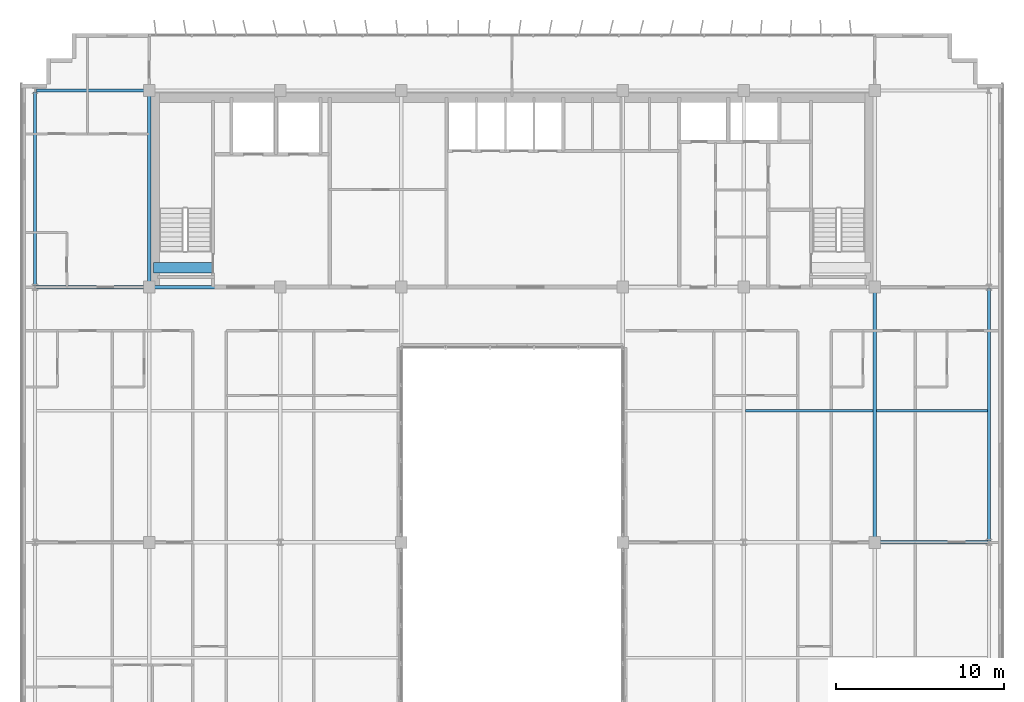
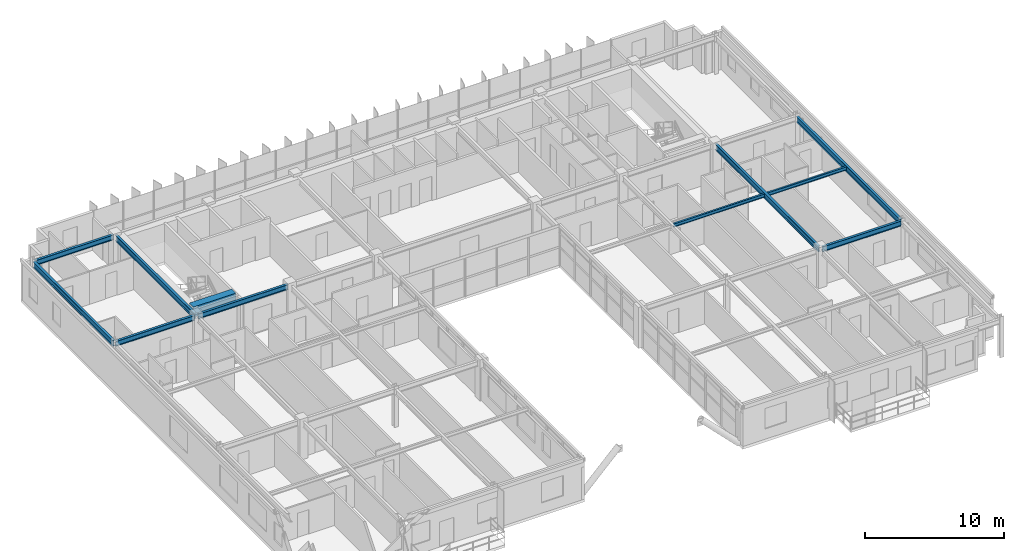
# One storey, part 16 of 35: 11 beams.
"""IFC4 building model written with IfcOpenShell, lengths in metres."""

import ifcopenshell
import ifcopenshell.guid

model = None  # the IFC model being written
_history = None  # IfcOwnerHistory: only IFC2X3 demands one
_inside = {}  # id of a spatial element -> (the spatial element, [elements in it])
_under = {}  # id of a project, library or spatial element -> (it, [spatial elements below it])
_declared = {}  # id of a project -> (the project, [libraries it declares])
_typed = {}  # id of a type object -> (the type object, [elements of that type])
_made_of = {}  # id of a material, layer set ... -> (it, [elements and type objects made of it])


def new_model(schema):
    """Start an empty IFC model of exactly this schema.

    Asked for "IFC4X3", IfcOpenShell would pick the latest addendum, in which some entities
    have other attributes; the version numbers below select the first issue.
    IFC2X3 requires an IfcOwnerHistory on every rooted entity: one is made here for all.
    """
    global model, _history
    if schema == "IFC4X3":
        model = ifcopenshell.file(schema_version=(4, 3, 0, 0))
    else:
        model = ifcopenshell.file(schema=schema)
    _inside.clear()
    _under.clear()
    _declared.clear()
    _typed.clear()
    _made_of.clear()
    _history = None
    if model.schema == "IFC2X3":
        org = make("IfcOrganization", Name="unknown")
        user = make(
            "IfcPersonAndOrganization",
            ThePerson=make("IfcPerson", FamilyName="unknown"),
            TheOrganization=org,
        )
        app = make(
            "IfcApplication",
            ApplicationDeveloper=org,
            Version="unknown",
            ApplicationFullName="unknown",
            ApplicationIdentifier="unknown",
        )
        _history = make(
            "IfcOwnerHistory",
            OwningUser=user,
            OwningApplication=app,
            ChangeAction="ADDED",
            CreationDate=0,
        )
    return model


def make(cls, **values):
    """One entity of the class cls with the attributes given. An attribute that is None is left unset."""
    return model.create_entity(
        cls, **{name: value for name, value in values.items() if value is not None}
    )


def rooted(cls, **values):
    """An entity with a GlobalId (a new one), such as an element, a storey or a relation."""
    return make(cls, GlobalId=ifcopenshell.guid.new(), OwnerHistory=_history, **values)


def si_unit(unit_type, name, prefix=None):
    """IfcSIUnit, for example si_unit("LENGTHUNIT", "METRE", prefix="MILLI")."""
    return make("IfcSIUnit", UnitType=unit_type, Prefix=prefix, Name=name)


def assignment(units):
    """IfcUnitAssignment: the units of a project."""
    return None if units is None else make("IfcUnitAssignment", Units=units)


def point(xyz):
    """IfcCartesianPoint."""
    return None if xyz is None else make("IfcCartesianPoint", Coordinates=xyz)


def direction(xyz):
    """IfcDirection."""
    return None if xyz is None else make("IfcDirection", DirectionRatios=xyz)


def frame(location, z_axis=None, x_axis=None):
    """IfcAxis2Placement3D, a coordinate frame: its origin and axes. An axis left out is left unset."""
    return make(
        "IfcAxis2Placement3D",
        Location=point(location),
        Axis=direction(z_axis),
        RefDirection=direction(x_axis),
    )


def frame_2d(location, x_axis=None):
    """IfcAxis2Placement2D, a coordinate frame in the plane: its origin and x axis."""
    return make(
        "IfcAxis2Placement2D", Location=point(location), RefDirection=direction(x_axis)
    )


def origin():
    """The frame at (0, 0, 0) with its axes left unset."""
    return frame((0.0, 0.0, 0.0))


def origin_2d():
    """The frame at (0, 0) in the plane with its x axis left unset."""
    return frame_2d((0.0, 0.0))


def place(relative_to, where):
    """IfcLocalPlacement: puts the frame where relative to a parent placement (None: the world)."""
    return make(
        "IfcLocalPlacement", PlacementRelTo=relative_to, RelativePlacement=where
    )


def context(
    kind, dimensions, precision=None, world=None, true_north=None, identifier=None
):
    """IfcGeometricRepresentationContext, for example the 3D "Model" context."""
    return make(
        "IfcGeometricRepresentationContext",
        ContextIdentifier=identifier,
        ContextType=kind,
        CoordinateSpaceDimension=dimensions,
        Precision=precision,
        WorldCoordinateSystem=world,
        TrueNorth=true_north,
    )


def subcontext(parent, identifier, kind, view, scale=None):
    """IfcGeometricRepresentationSubContext, for example "Body" below "Model"."""
    return make(
        "IfcGeometricRepresentationSubContext",
        ContextIdentifier=identifier,
        ContextType=kind,
        ParentContext=parent,
        TargetScale=scale,
        TargetView=view,
    )


def project(units=None, contexts=None):
    """IfcProject with its units and contexts."""
    return rooted(
        "IfcProject",
        Name="project",
        RepresentationContexts=contexts,
        UnitsInContext=assignment(units),
    )


def spatial(cls, under=None, at=None, **own):
    """A site, building, storey or space (cls), placed at a placement, below another one or the project."""
    s = rooted(cls, ObjectPlacement=at, **own)
    if under is not None:
        _under.setdefault(under.id(), (under, []))[1].append(s)
    return s


def profile(cls, at=None, kind="AREA", **sizes):
    """A parametric profile (cls). Its sizes go by their IFC names, for example OverallWidth=200.0."""
    return make(cls, ProfileType=kind, Position=at, **sizes)


def rectangle(**sizes):
    """IfcRectangleProfileDef."""
    return profile("IfcRectangleProfileDef", **sizes)


def i_section(**sizes):
    """IfcIShapeProfileDef."""
    return profile("IfcIShapeProfileDef", **sizes)


def extrude(swept, where, along, depth):
    """IfcExtrudedAreaSolid: the profile swept, set in the frame where, extruded along a direction by depth."""
    return make(
        "IfcExtrudedAreaSolid",
        SweptArea=swept,
        Position=where,
        ExtrudedDirection=direction(along),
        Depth=depth,
    )


def shape(context_of_items, identifier, shape_type, items):
    """IfcShapeRepresentation: the items that make up one representation, for example the "Body"."""
    return make(
        "IfcShapeRepresentation",
        ContextOfItems=context_of_items,
        RepresentationIdentifier=identifier,
        RepresentationType=shape_type,
        Items=items,
    )


def source(mapping_origin, context_of_items, identifier, shape_type, items):
    """IfcRepresentationMap: a shape defined once, which mapped items show again and again."""
    return make(
        "IfcRepresentationMap",
        MappingOrigin=mapping_origin,
        MappedRepresentation=shape(context_of_items, identifier, shape_type, items),
    )


def transform(
    local_origin,
    x_axis=None,
    y_axis=None,
    z_axis=None,
    scale=None,
    scale2=None,
    scale3=None,
    uniform=True,
):
    """IfcCartesianTransformationOperator3D, or its non-uniform kind. x_axis, y_axis, z_axis: its Axis1, 2, 3."""
    if uniform:
        return make(
            "IfcCartesianTransformationOperator3D",
            Axis1=direction(x_axis),
            Axis2=direction(y_axis),
            LocalOrigin=point(local_origin),
            Scale=scale,
            Axis3=direction(z_axis),
        )
    return make(
        "IfcCartesianTransformationOperator3DnonUniform",
        Axis1=direction(x_axis),
        Axis2=direction(y_axis),
        LocalOrigin=point(local_origin),
        Scale=scale,
        Axis3=direction(z_axis),
        Scale2=scale2,
        Scale3=scale3,
    )


def mapped(mapping_source, mapping_target):
    """IfcMappedItem: shows the shape of a source again, moved by a transform."""
    return make(
        "IfcMappedItem", MappingSource=mapping_source, MappingTarget=mapping_target
    )


def material(Name=None, Category=None):
    """IfcMaterial."""
    return make("IfcMaterial", Name=Name, Category=Category)


def material_profile(
    of_material, cross_section, Name=None, Category=None, Priority=None
):
    """IfcMaterialProfile: a cross section and its material."""
    return make(
        "IfcMaterialProfile",
        Name=Name,
        Material=of_material,
        Profile=cross_section,
        Priority=Priority,
        Category=Category,
    )


def profile_set(profiles, Name=None, composite=None):
    """IfcMaterialProfileSet."""
    return make(
        "IfcMaterialProfileSet",
        Name=Name,
        MaterialProfiles=profiles,
        CompositeProfile=composite,
    )


def made_of(thing, what):
    """Note that an element or type object is made of a material, layer set ...; save() writes the relation."""
    if what is not None:
        _made_of.setdefault(what.id(), (what, []))[1].append(thing)
    return thing


def type_object(cls, material=None, **own):
    """A type object (cls), such as IfcWallType, which elements share."""
    return made_of(rooted(cls, **own), material)


def element(
    cls,
    number,
    at=None,
    inside=None,
    cuts=None,
    type_object=None,
    material=None,
    context=None,
    identifier="Body",
    shape_type=None,
    held_by="IfcProductDefinitionShape",
    body=None,
    shapes=None,
    **own,
):
    """One element of the class cls, such as IfcWall. Its Tag is "e" and its number.

    at: its placement. inside: the storey or other place that contains it. cuts: it is an
    opening in that element (IfcRelVoidsElement). A single representation is given by context,
    identifier, shape_type and body (its items); several are given by shapes. held_by: the class
    of the entity that holds the representations. save() writes the other relations.
    """
    e = rooted(cls, Tag="e%d" % number, ObjectPlacement=at, **own)
    if body is not None:
        shapes = [shape(context, identifier, shape_type, body)]
    if shapes is not None:
        e.Representation = make(held_by, Representations=shapes)
    if inside is not None:
        _inside.setdefault(inside.id(), (inside, []))[1].append(e)
    if cuts is not None:
        rooted(
            "IfcRelVoidsElement", RelatingBuildingElement=cuts, RelatedOpeningElement=e
        )
    if type_object is not None:
        _typed.setdefault(type_object.id(), (type_object, []))[1].append(e)
    return made_of(e, material)


def aggregate(whole, parts):
    """IfcRelAggregates: a whole, such as a stair, and the parts it consists of."""
    return rooted("IfcRelAggregates", RelatingObject=whole, RelatedObjects=parts)


def save(model, path):
    """Write the relations noted so far, then the file.

    IfcRelAggregates (storeys below a building ...), IfcRelContainedInSpatialStructure (elements
    in a storey), IfcRelDefinesByType, IfcRelAssociatesMaterial and IfcRelDeclares: one each for
    every whole, place, type object, material and project.
    """
    for whole, parts in _under.values():
        aggregate(whole, parts)
    for where, things in _inside.values():
        rooted(
            "IfcRelContainedInSpatialStructure",
            RelatedElements=things,
            RelatingStructure=where,
        )
    for kind, things in _typed.values():
        rooted("IfcRelDefinesByType", RelatedObjects=things, RelatingType=kind)
    for what, things in _made_of.values():
        rooted("IfcRelAssociatesMaterial", RelatedObjects=things, RelatingMaterial=what)
    for by, libraries in _declared.values():
        rooted("IfcRelDeclares", RelatingContext=by, RelatedDefinitions=libraries)
    model.write(path)


model = new_model("IFC4")

# Units and contexts
model_context = context("Model", 3, precision=1e-05, world=origin(), true_north=direction((0.0, 1.0)))
body_context = subcontext(model_context, "Body", "Model", "MODEL_VIEW")
ifc_project = project(units=[si_unit("LENGTHUNIT", "METRE"), si_unit("AREAUNIT", "SQUARE_METRE"), si_unit("VOLUMEUNIT", "CUBIC_METRE"), si_unit("PLANEANGLEUNIT", "RADIAN"), si_unit("MASSUNIT", "GRAM", prefix="KILO")], contexts=[model_context])

# Site, building, storey
site_placement = place(None, origin())
site = spatial("IfcSite", under=ifc_project, at=site_placement, CompositionType="ELEMENT")
building_placement = place(site_placement, origin())
building = spatial("IfcBuilding", under=site, at=building_placement, Name="Trelvane Seafront Commons", CompositionType="ELEMENT")
storey_placement = place(building_placement, frame((0.0, 0.0, 194.10009765625)))
storey = spatial("IfcBuildingStorey", under=building, at=storey_placement, Name="L50", CompositionType="ELEMENT", Elevation=194.10009765625)

# Beams
ifc_material_1 = material(Name="Concrete C60/75", Category="concrete")
ifc_material_profile_1 = material_profile(ifc_material_1, rectangle(XDim=0.60009765625, YDim=0.89990234375, at=origin_2d()), Name="RC-600x900")
ifc_profile_set_1 = profile_set([ifc_material_profile_1], Name="Concrete C60/75")
beam_type_1 = type_object("IfcBeamType", Name="STR-LNT-RC600x900", PredefinedType="LINTEL", material=ifc_profile_set_1)
shared_shape_1 = source(origin(), body_context, "Body", "SweptSolid", [
    extrude(rectangle(XDim=0.60009765625, YDim=0.89990234375, at=origin_2d()), origin(), (0.0, 0.0, 1.0), 3.5498046875),
])
beam_1_placement = place(storey_placement, frame((15.85009765625, 34.550048828125, 2.909912109375), z_axis=(1.0, 0.0, 0.0), x_axis=(0.0, 1.0, 0.0)))
element("IfcBeam", 1, at=beam_1_placement, inside=storey, type_object=beam_type_1, Name="L50 Core Coupling Lintel Beam CB-67", PredefinedType="LINTEL", context=body_context, shape_type="MappedRepresentation", body=[
    mapped(shared_shape_1, transform((0.0, 0.0, 0.0), x_axis=(1.0, 0.0, 0.0), y_axis=(0.0, 1.0, 0.0), z_axis=(0.0, 0.0, 1.0), scale=1.0)),
])
ifc_material_2 = material(Name="Steel SM355 (S355)", Category="steel")
ifc_material_profile_2 = material_profile(ifc_material_2, i_section(OverallWidth=0.199951171875, OverallDepth=0.5, WebThickness=0.010009765625, FlangeThickness=0.01611328125, at=origin_2d()), Name="H-500x200x10x16")
ifc_profile_set_2 = profile_set([ifc_material_profile_2], Name="Steel SM355 (S355)")
beam_type_2 = type_object("IfcBeamType", Name="STR-BM-H500", PredefinedType="BEAM", material=ifc_profile_set_2)
shared_shape_2 = source(origin(), body_context, "Body", "SweptSolid", [
    extrude(i_section(OverallWidth=0.199951171875, OverallDepth=0.5, WebThickness=0.010009765625, FlangeThickness=0.01611328125, at=origin_2d()), origin(), (0.0, 0.0, 1.0), 14.89990234375),
])
beam_2_placement = place(storey_placement, frame((58.800048828125, 18.35009765625, 3.10986328125), z_axis=(0.0, 1.0, 0.0), x_axis=(-1.0, 0.0, 0.0)))
element("IfcBeam", 2, at=beam_2_placement, inside=storey, type_object=beam_type_2, Name="L50 Primary Girder G-48", PredefinedType="BEAM", context=body_context, shape_type="MappedRepresentation", body=[
    mapped(shared_shape_2, transform((0.0, 0.0, 0.0), x_axis=(1.0, 0.0, 0.0), y_axis=(0.0, 1.0, 0.0), z_axis=(0.0, 0.0, 1.0), scale=1.0)),
])
shared_shape_3 = source(origin(), body_context, "Body", "SweptSolid", [
    extrude(i_section(OverallWidth=0.199951171875, OverallDepth=0.5, WebThickness=0.010009765625, FlangeThickness=0.01611328125, at=origin_2d()), origin(), (0.0, 0.0, 1.0), 11.39990234375),
])
beam_3_placement = place(storey_placement, frame((15.60009765625, 33.550048828125, 3.10986328125), z_axis=(0.0, 1.0, 0.0), x_axis=(-1.0, 0.0, 0.0)))
element("IfcBeam", 3, at=beam_3_placement, inside=storey, type_object=beam_type_2, Name="L50 Primary Girder G-34", PredefinedType="BEAM", context=body_context, shape_type="MappedRepresentation", body=[
    mapped(shared_shape_3, transform((0.0, 0.0, 0.0), x_axis=(1.0, 0.0, 0.0), y_axis=(0.0, 1.0, 0.0), z_axis=(0.0, 0.0, 1.0), scale=1.0)),
])
ifc_material_profile_3 = material_profile(ifc_material_2, i_section(OverallWidth=0.199951171875, OverallDepth=0.449951171875, WebThickness=0.009033203125, FlangeThickness=0.013916015625, at=origin_2d()), Name="H-450x200x9x14")
ifc_profile_set_3 = profile_set([ifc_material_profile_3], Name="Steel SM355 (S355)")
beam_type_3 = type_object("IfcBeamType", Name="STR-SPD-H450", PredefinedType="SPANDREL", material=ifc_profile_set_3)
shared_shape_4 = source(origin(), body_context, "Body", "SweptSolid", [
    extrude(i_section(OverallWidth=0.199951171875, OverallDepth=0.449951171875, WebThickness=0.009033203125, FlangeThickness=0.013916015625, at=origin_2d()), origin(), (0.0, 0.0, 1.0), 6.5625),
])
for number, where, z_axis, x_axis, name in (
    (4, (58.949951171875, 18.199951171875, 3.135009765625), (1.0, 0.0, 0.0), (0.0, 1.0, 0.0), "L50 Primary Girder G-14"),
    (5, (8.887451171875, 33.39990234375, 3.135009765625), (1.0, 0.0, 0.0), (0.0, 1.0, 0.0), "L50 Primary Girder G-15"),
    (6, (8.887451171875, 45.10009765625, 3.135009765625), (1.0, 0.0, 0.0), (0.0, 1.0, 0.0), "L50 Primary Girder G-22"),
):
    element("IfcBeam", number, at=place(storey_placement, frame(where, z_axis=z_axis, x_axis=x_axis)), inside=storey, type_object=beam_type_3, Name=name, PredefinedType="SPANDREL", context=body_context, shape_type="MappedRepresentation", body=[
        mapped(shared_shape_4, transform((0.0, 0.0, 0.0), x_axis=(1.0, 0.0, 0.0), y_axis=(0.0, 1.0, 0.0), z_axis=(0.0, 0.0, 1.0), scale=1.0)),
    ])
shared_shape_5 = source(origin(), body_context, "Body", "SweptSolid", [
    extrude(i_section(OverallWidth=0.199951171875, OverallDepth=0.449951171875, WebThickness=0.009033203125, FlangeThickness=0.013916015625, at=origin_2d()), origin(), (0.0, 0.0, 1.0), 7.5),
])
beam_4_placement = place(storey_placement, frame((15.75, 33.39990234375, 3.135009765625), z_axis=(1.0, 0.0, 0.0), x_axis=(0.0, 1.0, 0.0)))
element("IfcBeam", 7, at=beam_4_placement, inside=storey, type_object=beam_type_3, Name="L50 Primary Girder G-16", PredefinedType="SPANDREL", context=body_context, shape_type="MappedRepresentation", body=[
    mapped(shared_shape_5, transform((0.0, 0.0, 0.0), x_axis=(1.0, 0.0, 0.0), y_axis=(0.0, 1.0, 0.0), z_axis=(0.0, 0.0, 1.0), scale=1.0)),
])
shared_shape_6 = source(origin(), body_context, "Body", "SweptSolid", [
    extrude(i_section(OverallWidth=0.199951171875, OverallDepth=0.5, WebThickness=0.010009765625, FlangeThickness=0.01611328125, at=origin_2d()), origin(), (0.0, 0.0, 1.0), 15.02490234375),
])
beam_5_placement = place(storey_placement, frame((65.60009765625, 18.28759765625, 3.10986328125), z_axis=(0.0, 1.0, 0.0), x_axis=(-1.0, 0.0, 0.0)))
element("IfcBeam", 8, at=beam_5_placement, inside=storey, type_object=beam_type_2, Name="L50 Primary Girder G-51", PredefinedType="BEAM", context=body_context, shape_type="MappedRepresentation", body=[
    mapped(shared_shape_6, transform((0.0, 0.0, 0.0), x_axis=(1.0, 0.0, 0.0), y_axis=(0.0, 1.0, 0.0), z_axis=(0.0, 0.0, 1.0), scale=1.0)),
])
shared_shape_7 = source(origin(), body_context, "Body", "SweptSolid", [
    extrude(i_section(OverallWidth=0.199951171875, OverallDepth=0.5, WebThickness=0.010009765625, FlangeThickness=0.01611328125, at=origin_2d()), origin(), (0.0, 0.0, 1.0), 11.52490234375),
])
beam_6_placement = place(storey_placement, frame((8.800048828125, 33.487548828125, 3.10986328125), z_axis=(0.0, 1.0, 0.0), x_axis=(-1.0, 0.0, 0.0)))
element("IfcBeam", 9, at=beam_6_placement, inside=storey, type_object=beam_type_2, Name="L50 Primary Girder G-31", PredefinedType="BEAM", context=body_context, shape_type="MappedRepresentation", body=[
    mapped(shared_shape_7, transform((0.0, 0.0, 0.0), x_axis=(1.0, 0.0, 0.0), y_axis=(0.0, 1.0, 0.0), z_axis=(0.0, 0.0, 1.0), scale=1.0)),
])
ifc_material_profile_4 = material_profile(ifc_material_2, i_section(OverallWidth=0.14990234375, OverallDepth=0.300048828125, WebThickness=0.006591796875, FlangeThickness=0.009033203125, at=origin_2d()), Name="H-300x150x6.5x9")
ifc_profile_set_4 = profile_set([ifc_material_profile_4], Name="Steel SM355 (S355)")
beam_type_4 = type_object("IfcBeamType", Name="STR-JST-H300", PredefinedType="JOIST", material=ifc_profile_set_4)
shared_shape_8 = source(origin(), body_context, "Body", "SweptSolid", [
    extrude(i_section(OverallWidth=0.14990234375, OverallDepth=0.300048828125, WebThickness=0.006591796875, FlangeThickness=0.009033203125, at=origin_2d()), origin(), (0.0, 0.0, 1.0), 6.60009765625),
])
beam_7_placement = place(storey_placement, frame((58.89990234375, 26.050048828125, 3.2099609375), z_axis=(1.0, 0.0, 0.0), x_axis=(0.0, 1.0, 0.0)))
element("IfcBeam", 10, at=beam_7_placement, inside=storey, type_object=beam_type_4, Name="L50 Secondary Floor Joist B-66", PredefinedType="JOIST", context=body_context, shape_type="MappedRepresentation", body=[
    mapped(shared_shape_8, transform((0.0, 0.0, 0.0), x_axis=(1.0, 0.0, 0.0), y_axis=(0.0, 1.0, 0.0), z_axis=(0.0, 0.0, 1.0), scale=1.0)),
])
shared_shape_9 = source(origin(), body_context, "Body", "SweptSolid", [
    extrude(i_section(OverallWidth=0.14990234375, OverallDepth=0.300048828125, WebThickness=0.006591796875, FlangeThickness=0.009033203125, at=origin_2d()), origin(), (0.0, 0.0, 1.0), 7.599853515625),
])
beam_8_placement = place(storey_placement, frame((51.10009765625, 26.050048828125, 3.2099609375), z_axis=(1.0, 0.0, 0.0), x_axis=(0.0, 1.0, 0.0)))
element("IfcBeam", 11, at=beam_8_placement, inside=storey, type_object=beam_type_4, Name="L50 Secondary Floor Joist B-65", PredefinedType="JOIST", context=body_context, shape_type="MappedRepresentation", body=[
    mapped(shared_shape_9, transform((0.0, 0.0, 0.0), x_axis=(1.0, 0.0, 0.0), y_axis=(0.0, 1.0, 0.0), z_axis=(0.0, 0.0, 1.0), scale=1.0)),
])

save(model, "model.ifc")
